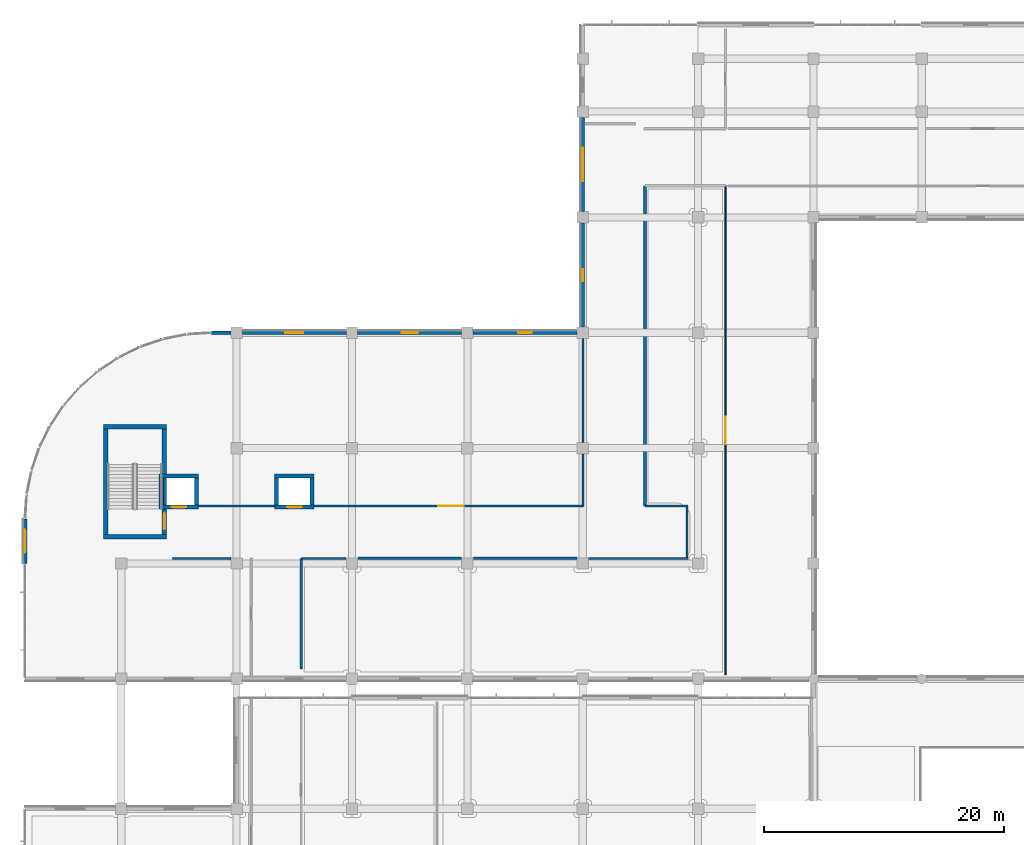
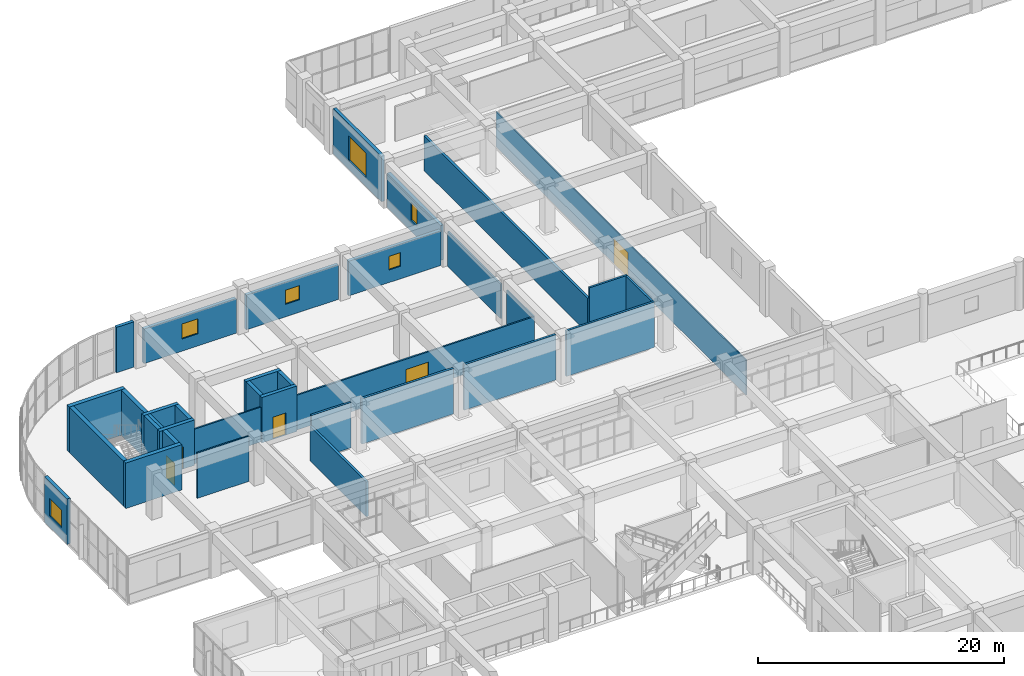
# One storey, part 56 of 86: 33 walls, 6 windows, 5 doors, 11 openings.
"""IFC4 building model written with IfcOpenShell, lengths in metres."""

from ifc_helpers import new_model, si_unit, direction, frame, frame_2d, origin, place, context, subcontext, project, spatial, rectangle, extrude, material, layer, layer_set, type_object, element, fill, save


model = new_model("IFC4")

# Units and contexts
model_context = context("Model", 3, precision=1e-05, world=origin(), true_north=direction((0.0, 1.0)))
body_context = subcontext(model_context, "Body", "Model", "MODEL_VIEW")
ifc_project = project(units=[si_unit("LENGTHUNIT", "METRE"), si_unit("AREAUNIT", "SQUARE_METRE"), si_unit("VOLUMEUNIT", "CUBIC_METRE"), si_unit("PLANEANGLEUNIT", "RADIAN"), si_unit("MASSUNIT", "GRAM", prefix="KILO")], contexts=[model_context])

# Site, building, storey
site_placement = place(None, origin())
site = spatial("IfcSite", under=ifc_project, at=site_placement, CompositionType="ELEMENT")
building_placement = place(site_placement, origin())
building = spatial("IfcBuilding", under=site, at=building_placement, Name="Cendralis Terraced Arcade", CompositionType="ELEMENT")
storey_placement = place(building_placement, frame((0.0, 0.0, 5.39990234375)))
storey = spatial("IfcBuildingStorey", under=building, at=storey_placement, Name="L01", CompositionType="ELEMENT", Elevation=5.39990234375)

# Walls
ifc_material_1 = material(Name="Gypsum plasterboard acoustic partition", Category="concrete")
ifc_layer_1 = layer(ifc_material_1, 0.199951171875, Name="WL-ACOU-200")
ifc_layer_set_1 = layer_set([ifc_layer_1], Name="Gypsum plasterboard acoustic partition")
wall_type_1 = type_object("IfcWallType", Name="WL-ACOU-200", PredefinedType="PARTITIONING", material=ifc_layer_set_1)
wall_1_placement = place(storey_placement, frame((48.4951171875, 70.02001953125, 0.0), z_axis=(0.0, 0.0, 1.0), x_axis=(1.0, 0.0, 0.0)))
element("IfcWall", 1, at=wall_1_placement, inside=storey, type_object=wall_type_1, Name="Interior Partition Wall IW-L01-0362", PredefinedType="PARTITIONING", context=body_context, shape_type="SweptSolid", body=[
    extrude(rectangle(XDim=8.27490234375, YDim=0.199951171875, at=frame_2d((4.137451171875, 0.0))), origin(), (0.0, 0.0, 1.0), 4.505126953125),
])
ifc_layer_2 = layer(ifc_material_1, 0.205078125, Name="WL-ACOU-205")
ifc_layer_set_2 = layer_set([ifc_layer_2], Name="Gypsum plasterboard acoustic partition")
wall_type_2 = type_object("IfcWallType", Name="WL-ACOU-205", PredefinedType="PARTITIONING", material=ifc_layer_set_2)
wall_2_placement = place(storey_placement, frame((38.89501953125, 70.02001953125, 0.0), z_axis=(0.0, 0.0, 1.0), x_axis=(1.0, 0.0, 0.0)))
element("IfcWall", 2, at=wall_2_placement, inside=storey, type_object=wall_type_2, Name="Interior Partition Wall IW-L01-0361", PredefinedType="PARTITIONING", context=body_context, shape_type="SweptSolid", body=[
    extrude(rectangle(XDim=8.60986328125, YDim=0.205078125, at=frame_2d((4.304931640625, 0.0))), origin(), (0.0, 0.0, 1.0), 4.505126953125),
])
ifc_layer_3 = layer(ifc_material_1, 0.2099609375, Name="WL-ACOU-210")
ifc_layer_set_3 = layer_set([ifc_layer_3], Name="Gypsum plasterboard acoustic partition")
wall_type_3 = type_object("IfcWallType", Name="WL-ACOU-210", PredefinedType="PARTITIONING", material=ifc_layer_set_3)
wall_3_placement = place(storey_placement, frame((29.294921875, 70.02001953125, 0.0), z_axis=(0.0, 0.0, 1.0), x_axis=(1.0, 0.0, 0.0)))
element("IfcWall", 3, at=wall_3_placement, inside=storey, type_object=wall_type_3, Name="Interior Partition Wall IW-L01-0360", PredefinedType="PARTITIONING", context=body_context, shape_type="SweptSolid", body=[
    extrude(rectangle(XDim=8.610107421875, YDim=0.2099609375, at=frame_2d((4.30517578125, 0.0))), origin(), (0.0, 0.0, 1.0), 4.505126953125),
])
ifc_material_2 = material(Name="Autoclaved aerated concrete blockwork", Category="masonry")
ifc_layer_4 = layer(ifc_material_2, 0.221923828125, Name="WL-ACOU-222")
ifc_layer_set_4 = layer_set([ifc_layer_4], Name="Autoclaved aerated concrete blockwork")
wall_type_4 = type_object("IfcWallType", Name="WL-ACOU-222", PredefinedType="PARTITIONING", material=ifc_layer_set_4)
wall_4_placement = place(storey_placement, frame((24.580078125, 60.840087890625, 0.0), z_axis=(0.0, 0.0, 1.0), x_axis=(0.0, 1.0, 0.0)))
element("IfcWall", 4, at=wall_4_placement, inside=storey, type_object=wall_type_4, Name="Interior Partition Wall IW-L01-0359", PredefinedType="PARTITIONING", context=body_context, shape_type="SweptSolid", body=[
    extrude(rectangle(XDim=9.179931640625, YDim=0.221923828125, at=frame_2d((4.58984375, 0.0))), origin(), (0.0, 0.0, 1.0), 3.445068359375),
])
ifc_layer_5 = layer(ifc_material_2, 0.22802734375, Name="WL-ACOU-228")
ifc_layer_set_5 = layer_set([ifc_layer_5], Name="Autoclaved aerated concrete blockwork")
wall_type_5 = type_object("IfcWallType", Name="WL-ACOU-228", PredefinedType="PARTITIONING", material=ifc_layer_set_5)
wall_5_placement = place(storey_placement, frame((53.179931640625, 74.3798828125, 0.0), z_axis=(0.0, 0.0, 1.0), x_axis=(0.0, 1.0, 0.0)))
element("IfcWall", 5, at=wall_5_placement, inside=storey, type_object=wall_type_5, Name="Interior Partition Wall IW-L01-0358", PredefinedType="PARTITIONING", context=body_context, shape_type="SweptSolid", body=[
    extrude(rectangle(XDim=26.64013671875, YDim=0.22802734375, at=frame_2d((13.320068359375, 0.0))), origin(), (0.0, 0.0, 1.0), 3.445068359375),
])

# Wall, opening, door
ifc_material_3 = material(Name="Concrete f'c 42 MPa", Category="concrete")
ifc_layer_6 = layer(ifc_material_3, 0.340087890625, Name="WL-CORE-340")
ifc_layer_set_6 = layer_set([ifc_layer_6], Name="Concrete f'c 42 MPa")
wall_type_6 = type_object("IfcWallType", Name="WL-CORE-340", PredefinedType="SHEAR", material=ifc_layer_set_6)
wall_6_placement = place(storey_placement, frame((12.760009765625, 74.304931640625, 0.0), z_axis=(0.0, 0.0, 1.0), x_axis=(1.0, 0.0, 0.0)))
wall_6 = element("IfcWall", 6, at=wall_6_placement, inside=storey, type_object=wall_type_6, Name="Lift PL-05 Reinforced Concrete Shaft Wall (L01)", PredefinedType="SHEAR", context=body_context, shape_type="SweptSolid", body=[
    extrude(rectangle(XDim=3.280029296875, YDim=0.340087890625, at=frame_2d((1.64013671875, 0.0))), origin(), (0.0, 0.0, 1.0), 4.505126953125),
])
opening_1_placement = place(wall_6_placement, frame((1.0400390625, 0.0, 0.0)))
opening_1 = element("IfcOpeningElement", 7, at=opening_1_placement, cuts=wall_6, Name="Opening LD-PL-05-L01", PredefinedType="OPENING", context=body_context, shape_type="SweptSolid", body=[
    extrude(rectangle(XDim=1.199951171875, YDim=2.199951171875, at=frame_2d((0.60009765625, 1.10009765625))), frame((0.0, 0.18212890625, 0.0), z_axis=(0.0, -1.0, 0.0), x_axis=(1.0, 0.0, 0.0)), (0.0, 0.0, 1.0), 0.364013671875),
])
ifc_material_4 = material(Name="Anodised aluminium sliding door assembly", Category="aluminium")
door_type_1 = type_object("IfcDoorType", Name="ID-LD-PX-1200x2200", OperationType="DOUBLE_DOOR_SLIDING", PredefinedType="DOOR", material=ifc_material_4)
door_1_placement = place(opening_1_placement, origin())
door_1 = element("IfcDoor", 8, at=door_1_placement, inside=storey, type_object=door_type_1, Name="Lift PL-05 Sliding Landing Door (L01)", OperationType="DOUBLE_DOOR_SLIDING", OverallHeight=2.199951171875, OverallWidth=1.199951171875, PredefinedType="DOOR", context=body_context, shape_type="SweptSolid", body=[
    extrude(rectangle(XDim=1.199951171875, YDim=2.199951171875, at=frame_2d((0.60009765625, 1.10009765625))), frame((0.0, 0.02490234375, 0.0), z_axis=(0.0, -1.0, 0.0), x_axis=(1.0, 0.0, 0.0)), (0.0, 0.0, 1.0), 0.050048828125),
])
fill(opening_1, door_1)

# Walls
wall_7_placement = place(storey_placement, frame((12.760009765625, 76.89501953125, 0.0), z_axis=(0.0, 0.0, 1.0), x_axis=(1.0, 0.0, 0.0)))
element("IfcWall", 9, at=wall_7_placement, inside=storey, type_object=wall_type_6, Name="Lift PL-05 Reinforced Concrete Shaft Wall (L01)", PredefinedType="SHEAR", context=body_context, shape_type="SweptSolid", body=[
    extrude(rectangle(XDim=3.280029296875, YDim=0.340087890625, at=frame_2d((1.64013671875, 0.0))), origin(), (0.0, 0.0, 1.0), 4.505126953125),
])
for number, where, z_axis, x_axis, name in (
    (10, (12.929931640625, 74.47509765625, 0.0), (0.0, 0.0, 1.0), (0.0, 1.0, 0.0), "Lift PL-05 Reinforced Concrete Shaft Wall (L01)"),
    (11, (15.8701171875, 74.47509765625, 0.0), (0.0, 0.0, 1.0), (0.0, 1.0, 0.0), "Lift PL-05 Reinforced Concrete Shaft Wall (L01)"),
):
    element("IfcWall", number, at=place(storey_placement, frame(where, z_axis=z_axis, x_axis=x_axis)), inside=storey, type_object=wall_type_6, Name=name, PredefinedType="SHEAR", context=body_context, shape_type="SweptSolid", body=[
        extrude(rectangle(XDim=2.25, YDim=0.340087890625, at=frame_2d((1.125, 0.0))), origin(), (0.0, 0.0, 1.0), 4.505126953125),
    ])

# Wall, opening, door
wall_8_placement = place(storey_placement, frame((22.360107421875, 74.304931640625, 0.0), z_axis=(0.0, 0.0, 1.0), x_axis=(1.0, 0.0, 0.0)))
wall_8 = element("IfcWall", 12, at=wall_8_placement, inside=storey, type_object=wall_type_6, Name="Lift PL-06 Reinforced Concrete Shaft Wall (L01)", PredefinedType="SHEAR", context=body_context, shape_type="SweptSolid", body=[
    extrude(rectangle(XDim=3.27978515625, YDim=0.340087890625, at=frame_2d((1.639892578125, 0.0))), origin(), (0.0, 0.0, 1.0), 4.505126953125),
])
opening_2_placement = place(wall_8_placement, frame((1.0400390625, 0.0, 0.0)))
opening_2 = element("IfcOpeningElement", 13, at=opening_2_placement, cuts=wall_8, Name="Opening LD-PL-06-L01", PredefinedType="OPENING", context=body_context, shape_type="SweptSolid", body=[
    extrude(rectangle(XDim=1.199951171875, YDim=2.199951171875, at=frame_2d((0.60009765625, 1.10009765625))), frame((0.0, 0.18212890625, 0.0), z_axis=(0.0, -1.0, 0.0), x_axis=(1.0, 0.0, 0.0)), (0.0, 0.0, 1.0), 0.364013671875),
])
door_2_placement = place(opening_2_placement, origin())
door_2 = element("IfcDoor", 14, at=door_2_placement, inside=storey, type_object=door_type_1, Name="Lift PL-06 Sliding Landing Door (L01)", OperationType="DOUBLE_DOOR_SLIDING", OverallHeight=2.199951171875, OverallWidth=1.199951171875, PredefinedType="DOOR", context=body_context, shape_type="SweptSolid", body=[
    extrude(rectangle(XDim=1.199951171875, YDim=2.199951171875, at=frame_2d((0.60009765625, 1.10009765625))), frame((0.0, 0.02490234375, 0.0), z_axis=(0.0, -1.0, 0.0), x_axis=(1.0, 0.0, 0.0)), (0.0, 0.0, 1.0), 0.050048828125),
])
fill(opening_2, door_2)

# Walls
wall_9_placement = place(storey_placement, frame((22.360107421875, 76.89501953125, 0.0), z_axis=(0.0, 0.0, 1.0), x_axis=(1.0, 0.0, 0.0)))
element("IfcWall", 15, at=wall_9_placement, inside=storey, type_object=wall_type_6, Name="Lift PL-06 Reinforced Concrete Shaft Wall (L01)", PredefinedType="SHEAR", context=body_context, shape_type="SweptSolid", body=[
    extrude(rectangle(XDim=3.27978515625, YDim=0.340087890625, at=frame_2d((1.639892578125, 0.0))), origin(), (0.0, 0.0, 1.0), 4.505126953125),
])
for number, where, z_axis, x_axis, name in (
    (16, (22.530029296875, 74.47509765625, 0.0), (0.0, 0.0, 1.0), (0.0, 1.0, 0.0), "Lift PL-06 Reinforced Concrete Shaft Wall (L01)"),
    (17, (25.469970703125, 74.47509765625, 0.0), (0.0, 0.0, 1.0), (0.0, 1.0, 0.0), "Lift PL-06 Reinforced Concrete Shaft Wall (L01)"),
):
    element("IfcWall", number, at=place(storey_placement, frame(where, z_axis=z_axis, x_axis=x_axis)), inside=storey, type_object=wall_type_6, Name=name, PredefinedType="SHEAR", context=body_context, shape_type="SweptSolid", body=[
        extrude(rectangle(XDim=2.25, YDim=0.340087890625, at=frame_2d((1.125, 0.0))), origin(), (0.0, 0.0, 1.0), 4.505126953125),
    ])
ifc_layer_7 = layer(ifc_material_3, 0.3798828125, Name="WL-CORE-380")
ifc_layer_set_7 = layer_set([ifc_layer_7], Name="Concrete f'c 42 MPa")
wall_type_7 = type_object("IfcWallType", Name="WL-CORE-380", PredefinedType="SHEAR", material=ifc_layer_set_7)
for number, where, z_axis, x_axis, name in (
    (18, (8.1201171875, 71.81005859375, 0.0), (0.0, 0.0, 1.0), (1.0, 0.0, 0.0), "Stair Core Reinforced Concrete Shear Wall SW-ST-07-L01-S"),
    (19, (8.1201171875, 80.989990234375, 0.0), (0.0, 0.0, 1.0), (1.0, 0.0, 0.0), "Stair Core Reinforced Concrete Shear Wall SW-ST-07-L01-N"),
):
    element("IfcWall", number, at=place(storey_placement, frame(where, z_axis=z_axis, x_axis=x_axis)), inside=storey, type_object=wall_type_7, Name=name, PredefinedType="SHEAR", context=body_context, shape_type="SweptSolid", body=[
        extrude(rectangle(XDim=5.259765625, YDim=0.3798828125, at=frame_2d((2.6298828125, 0.0))), origin(), (0.0, 0.0, 1.0), 4.505126953125),
    ])

# Wall, opening, door
wall_10_placement = place(storey_placement, frame((13.18994140625, 72.0, 0.0), z_axis=(0.0, 0.0, 1.0), x_axis=(0.0, 1.0, 0.0)))
wall_10 = element("IfcWall", 20, at=wall_10_placement, inside=storey, type_object=wall_type_7, Name="Stair Core Reinforced Concrete Shear Wall SW-ST-07-L01-E", PredefinedType="SHEAR", context=body_context, shape_type="SweptSolid", body=[
    extrude(rectangle(XDim=8.800048828125, YDim=0.3798828125, at=frame_2d((4.39990234375, 0.0))), origin(), (0.0, 0.0, 1.0), 4.505126953125),
])
opening_3_placement = place(wall_10_placement, frame((0.449951171875, 0.0, 0.0)))
opening_3 = element("IfcOpeningElement", 21, at=opening_3_placement, cuts=wall_10, Name="Opening D-ST-07-L01", PredefinedType="OPENING", context=body_context, shape_type="SweptSolid", body=[
    extrude(rectangle(XDim=1.35009765625, YDim=2.199951171875, at=frame_2d((0.675048828125, 1.10009765625))), frame((0.0, 0.201904296875, 0.0), z_axis=(0.0, -1.0, 0.0), x_axis=(1.0, 0.0, 0.0)), (0.0, 0.0, 1.0), 0.40380859375),
])
ifc_material_5 = material(Name="Galvanised fire-rated steel door assembly", Category="steel")
door_type_2 = type_object("IfcDoorType", Name="ID-ST-1350x2200", OperationType="NOTDEFINED", PredefinedType="DOOR", material=ifc_material_5)
door_3_placement = place(opening_3_placement, origin())
door_3 = element("IfcDoor", 22, at=door_3_placement, inside=storey, type_object=door_type_2, Name="Protected Stair ST-07 Fire Door (L01)", OperationType="SINGLE_SWING_LEFT", OverallHeight=2.199951171875, OverallWidth=1.35009765625, PredefinedType="DOOR", context=body_context, shape_type="SweptSolid", body=[
    extrude(rectangle(XDim=1.35009765625, YDim=2.199951171875, at=frame_2d((0.675048828125, 1.10009765625))), frame((0.0, 0.02490234375, 0.0), z_axis=(0.0, -1.0, 0.0), x_axis=(1.0, 0.0, 0.0)), (0.0, 0.0, 1.0), 0.050048828125),
])
fill(opening_3, door_3)

# Wall
wall_11_placement = place(storey_placement, frame((8.31005859375, 72.0, 0.0), z_axis=(0.0, 0.0, 1.0), x_axis=(0.0, 1.0, 0.0)))
element("IfcWall", 23, at=wall_11_placement, inside=storey, type_object=wall_type_7, Name="Stair Core Reinforced Concrete Shear Wall SW-ST-07-L01-W", PredefinedType="SHEAR", context=body_context, shape_type="SweptSolid", body=[
    extrude(rectangle(XDim=8.800048828125, YDim=0.3798828125, at=frame_2d((4.39990234375, 0.0))), origin(), (0.0, 0.0, 1.0), 4.505126953125),
])

# Wall, opening, window
ifc_material_6 = material(Name="Precast concrete f'c 40 MPa", Category="concrete")
ifc_layer_8 = layer(ifc_material_6, 0.300048828125, Name="WL-EXT-GRC-300")
ifc_layer_set_8 = layer_set([ifc_layer_8], Name="Precast concrete f'c 40 MPa")
wall_type_8 = type_object("IfcWallType", Name="WL-EXT-GRC-300", PredefinedType="SOLIDWALL", material=ifc_layer_set_8)
wall_12_placement = place(storey_placement, frame((1.60009765625, 69.60009765625, 0.0), z_axis=(0.0, 0.0, 1.0), x_axis=(0.0, 1.0, 0.0)))
wall_12 = element("IfcWall", 24, at=wall_12_placement, inside=storey, type_object=wall_type_8, Name="Exterior Architectural Wall EW-L01-0089", PredefinedType="SOLIDWALL", context=body_context, shape_type="SweptSolid", body=[
    extrude(rectangle(XDim=3.699951171875, YDim=0.300048828125, at=frame_2d((1.85009765625, 0.0))), origin(), (0.0, 0.0, 1.0), 4.505126953125),
])
opening_4_placement = place(wall_12_placement, frame((0.875, 0.0, 1.10009765625)))
opening_4 = element("IfcOpeningElement", 25, at=opening_4_placement, cuts=wall_12, Name="Opening W-27", PredefinedType="OPENING", context=body_context, shape_type="SweptSolid", body=[
    extrude(rectangle(XDim=1.949951171875, YDim=1.75, at=frame_2d((0.97509765625, 0.875))), frame((0.0, 0.162109375, 0.0), z_axis=(0.0, -1.0, 0.0), x_axis=(1.0, 0.0, 0.0)), (0.0, 0.0, 1.0), 0.323974609375),
])
ifc_material_7 = material(Name="Tempered solar control laminated glass", Category="glass")
window_type_1 = type_object("IfcWindowType", Name="WN-F3-1950x1750", PartitioningType="SINGLE_PANEL", PredefinedType="WINDOW", material=ifc_material_7)
window_1_placement = place(opening_4_placement, origin())
window_1 = element("IfcWindow", 26, at=window_1_placement, inside=storey, type_object=window_type_1, Name="Exterior Solar-Control Window WN-L01-0048", OverallHeight=1.75, OverallWidth=1.949951171875, PartitioningType="SINGLE_PANEL", PredefinedType="WINDOW", context=body_context, shape_type="SweptSolid", body=[
    extrude(rectangle(XDim=1.949951171875, YDim=1.75, at=frame_2d((0.97509765625, 0.875))), frame((0.0, 0.030029296875, 0.0), z_axis=(0.0, -1.0, 0.0), x_axis=(1.0, 0.0, 0.0)), (0.0, 0.0, 1.0), 0.06005859375),
])
fill(opening_4, window_1)

# Wall
wall_13_placement = place(storey_placement, frame((17.10009765625, 88.800048828125, 0.0), z_axis=(0.0, 0.0, 1.0), x_axis=(1.0, 0.0, 0.0)))
element("IfcWall", 27, at=wall_13_placement, inside=storey, type_object=wall_type_8, Name="Exterior Architectural Wall EW-L01-0090", PredefinedType="SOLIDWALL", context=body_context, shape_type="SweptSolid", body=[
    extrude(rectangle(XDim=1.626953125, YDim=0.300048828125, at=frame_2d((0.8134765625, 0.0))), origin(), (0.0, 0.0, 1.0), 4.505126953125),
])

# Wall, opening, window
wall_14_placement = place(storey_placement, frame((19.673095703125, 88.800048828125, 0.0), z_axis=(0.0, 0.0, 1.0), x_axis=(1.0, 0.0, 0.0)))
wall_14 = element("IfcWall", 28, at=wall_14_placement, inside=storey, type_object=wall_type_8, Name="Exterior Architectural Wall EW-L01-0091", PredefinedType="SOLIDWALL", context=body_context, shape_type="SweptSolid", body=[
    extrude(rectangle(XDim=8.65380859375, YDim=0.300048828125, at=frame_2d((4.326904296875, 0.0))), origin(), (0.0, 0.0, 1.0), 3.445068359375),
])
opening_5_placement = place(wall_14_placement, frame((3.576904296875, 0.0, 1.199951171875)))
opening_5 = element("IfcOpeningElement", 29, at=opening_5_placement, cuts=wall_14, Name="Opening W-20", PredefinedType="OPENING", context=body_context, shape_type="SweptSolid", body=[
    extrude(rectangle(XDim=1.5, YDim=1.5, at=frame_2d((0.75, 0.75))), frame((0.0, 0.162109375, 0.0), z_axis=(0.0, -1.0, 0.0), x_axis=(1.0, 0.0, 0.0)), (0.0, 0.0, 1.0), 0.323974609375),
])
window_type_2 = type_object("IfcWindowType", Name="WN-BOH-1500x1500", PartitioningType="SINGLE_PANEL", PredefinedType="WINDOW", material=ifc_material_7)
window_2_placement = place(opening_5_placement, origin())
window_2 = element("IfcWindow", 30, at=window_2_placement, inside=storey, type_object=window_type_2, Name="Exterior Solar-Control Window WN-L01-0049", OverallHeight=1.5, OverallWidth=1.5, PartitioningType="SINGLE_PANEL", PredefinedType="WINDOW", context=body_context, shape_type="SweptSolid", body=[
    extrude(rectangle(XDim=1.5, YDim=1.5, at=frame_2d((0.75, 0.75))), frame((0.0, 0.030029296875, 0.0), z_axis=(0.0, -1.0, 0.0), x_axis=(1.0, 0.0, 0.0)), (0.0, 0.0, 1.0), 0.06005859375),
])
fill(opening_5, window_2)

wall_15_placement = place(storey_placement, frame((29.27294921875, 88.800048828125, 0.0), z_axis=(0.0, 0.0, 1.0), x_axis=(1.0, 0.0, 0.0)))
wall_15 = element("IfcWall", 31, at=wall_15_placement, inside=storey, type_object=wall_type_8, Name="Exterior Architectural Wall EW-L01-0092", PredefinedType="SOLIDWALL", context=body_context, shape_type="SweptSolid", body=[
    extrude(rectangle(XDim=8.654052734375, YDim=0.300048828125, at=frame_2d((4.3271484375, 0.0))), origin(), (0.0, 0.0, 1.0), 3.445068359375),
])
opening_6_placement = place(wall_15_placement, frame((3.652099609375, 0.0, 1.25)))
opening_6 = element("IfcOpeningElement", 32, at=opening_6_placement, cuts=wall_15, Name="Opening W-21", PredefinedType="OPENING", context=body_context, shape_type="SweptSolid", body=[
    extrude(rectangle(XDim=1.35009765625, YDim=1.39990234375, at=frame_2d((0.675048828125, 0.699951171875))), frame((0.0, 0.162109375, 0.0), z_axis=(0.0, -1.0, 0.0), x_axis=(1.0, 0.0, 0.0)), (0.0, 0.0, 1.0), 0.323974609375),
])
window_type_3 = type_object("IfcWindowType", Name="WN-BOH-1350x1400", PartitioningType="SINGLE_PANEL", PredefinedType="WINDOW", material=ifc_material_7)
window_3_placement = place(opening_6_placement, origin())
window_3 = element("IfcWindow", 33, at=window_3_placement, inside=storey, type_object=window_type_3, Name="Exterior Solar-Control Window WN-L01-0050", OverallHeight=1.39990234375, OverallWidth=1.35009765625, PartitioningType="SINGLE_PANEL", PredefinedType="WINDOW", context=body_context, shape_type="SweptSolid", body=[
    extrude(rectangle(XDim=1.35009765625, YDim=1.39990234375, at=frame_2d((0.675048828125, 0.699951171875))), frame((0.0, 0.030029296875, 0.0), z_axis=(0.0, -1.0, 0.0), x_axis=(1.0, 0.0, 0.0)), (0.0, 0.0, 1.0), 0.06005859375),
])
fill(opening_6, window_3)

wall_16_placement = place(storey_placement, frame((38.873046875, 88.800048828125, 0.0), z_axis=(0.0, 0.0, 1.0), x_axis=(1.0, 0.0, 0.0)))
wall_16 = element("IfcWall", 34, at=wall_16_placement, inside=storey, type_object=wall_type_8, Name="Exterior Architectural Wall EW-L01-0093", PredefinedType="SOLIDWALL", context=body_context, shape_type="SweptSolid", body=[
    extrude(rectangle(XDim=8.654052734375, YDim=0.300048828125, at=frame_2d((4.3271484375, 0.0))), origin(), (0.0, 0.0, 1.0), 3.445068359375),
])
opening_7_placement = place(wall_16_placement, frame((3.777099609375, 0.0, 1.25)))
opening_7 = element("IfcOpeningElement", 35, at=opening_7_placement, cuts=wall_16, Name="Opening W-22", PredefinedType="OPENING", context=body_context, shape_type="SweptSolid", body=[
    extrude(rectangle(XDim=1.10009765625, YDim=1.35009765625, at=frame_2d((0.550048828125, 0.675048828125))), frame((0.0, 0.162109375, 0.0), z_axis=(0.0, -1.0, 0.0), x_axis=(1.0, 0.0, 0.0)), (0.0, 0.0, 1.0), 0.323974609375),
])
window_type_4 = type_object("IfcWindowType", Name="WN-BOH-1100x1350", PartitioningType="SINGLE_PANEL", PredefinedType="WINDOW", material=ifc_material_7)
window_4_placement = place(opening_7_placement, origin())
window_4 = element("IfcWindow", 36, at=window_4_placement, inside=storey, type_object=window_type_4, Name="Exterior Solar-Control Window WN-L01-0051", OverallHeight=1.35009765625, OverallWidth=1.10009765625, PartitioningType="SINGLE_PANEL", PredefinedType="WINDOW", context=body_context, shape_type="SweptSolid", body=[
    extrude(rectangle(XDim=1.10009765625, YDim=1.35009765625, at=frame_2d((0.550048828125, 0.675048828125))), frame((0.0, 0.030029296875, 0.0), z_axis=(0.0, -1.0, 0.0), x_axis=(1.0, 0.0, 0.0)), (0.0, 0.0, 1.0), 0.06005859375),
])
fill(opening_7, window_4)

wall_17_placement = place(storey_placement, frame((48.0, 89.27294921875, 0.0), z_axis=(0.0, 0.0, 1.0), x_axis=(0.0, 1.0, 0.0)))
wall_17 = element("IfcWall", 37, at=wall_17_placement, inside=storey, type_object=wall_type_8, Name="Exterior Architectural Wall EW-L01-0094", PredefinedType="SOLIDWALL", context=body_context, shape_type="SweptSolid", body=[
    extrude(rectangle(XDim=8.654052734375, YDim=0.300048828125, at=frame_2d((4.3271484375, 0.0))), origin(), (0.0, 0.0, 1.0), 3.445068359375),
])
opening_8_placement = place(wall_17_placement, frame((3.826904296875, 0.0, 1.10009765625)))
opening_8 = element("IfcOpeningElement", 38, at=opening_8_placement, cuts=wall_17, Name="Opening W-23", PredefinedType="OPENING", context=body_context, shape_type="SweptSolid", body=[
    extrude(rectangle(XDim=1.0, YDim=1.800048828125, at=frame_2d((0.5, 0.89990234375))), frame((0.0, 0.162109375, 0.0), z_axis=(0.0, -1.0, 0.0), x_axis=(1.0, 0.0, 0.0)), (0.0, 0.0, 1.0), 0.323974609375),
])
window_type_5 = type_object("IfcWindowType", Name="WN-ST-1000x1800", PartitioningType="SINGLE_PANEL", PredefinedType="WINDOW", material=ifc_material_7)
window_5_placement = place(opening_8_placement, origin())
window_5 = element("IfcWindow", 39, at=window_5_placement, inside=storey, type_object=window_type_5, Name="Exterior Solar-Control Window WN-L01-0052", OverallHeight=1.800048828125, OverallWidth=1.0, PartitioningType="SINGLE_PANEL", PredefinedType="WINDOW", context=body_context, shape_type="SweptSolid", body=[
    extrude(rectangle(XDim=1.0, YDim=1.800048828125, at=frame_2d((0.5, 0.89990234375))), frame((0.0, 0.030029296875, 0.0), z_axis=(0.0, -1.0, 0.0), x_axis=(1.0, 0.0, 0.0)), (0.0, 0.0, 1.0), 0.06005859375),
])
fill(opening_8, window_5)

wall_18_placement = place(storey_placement, frame((48.0, 98.873046875, 0.0), z_axis=(0.0, 0.0, 1.0), x_axis=(0.0, 1.0, 0.0)))
wall_18 = element("IfcWall", 40, at=wall_18_placement, inside=storey, type_object=wall_type_8, Name="Exterior Architectural Wall EW-L01-0095", PredefinedType="SOLIDWALL", context=body_context, shape_type="SweptSolid", body=[
    extrude(rectangle(XDim=7.85400390625, YDim=0.300048828125, at=frame_2d((3.927001953125, 0.0))), origin(), (0.0, 0.0, 1.0), 4.505126953125),
])
opening_9_placement = place(wall_18_placement, frame((2.527099609375, 0.0, 0.89990234375)))
opening_9 = element("IfcOpeningElement", 41, at=opening_9_placement, cuts=wall_18, Name="Opening W-09", PredefinedType="OPENING", context=body_context, shape_type="SweptSolid", body=[
    extrude(rectangle(XDim=2.800048828125, YDim=2.39990234375, at=frame_2d((1.39990234375, 1.199951171875))), frame((0.0, 0.162109375, 0.0), z_axis=(0.0, -1.0, 0.0), x_axis=(1.0, 0.0, 0.0)), (0.0, 0.0, 1.0), 0.323974609375),
])
window_type_6 = type_object("IfcWindowType", Name="WN-F2-2800x2400", PartitioningType="SINGLE_PANEL", PredefinedType="WINDOW", material=ifc_material_7)
window_6_placement = place(opening_9_placement, origin())
window_6 = element("IfcWindow", 42, at=window_6_placement, inside=storey, type_object=window_type_6, Name="Exterior Solar-Control Window WN-L01-0053", OverallHeight=2.39990234375, OverallWidth=2.800048828125, PartitioningType="SINGLE_PANEL", PredefinedType="WINDOW", context=body_context, shape_type="SweptSolid", body=[
    extrude(rectangle(XDim=2.800048828125, YDim=2.39990234375, at=frame_2d((1.39990234375, 1.199951171875))), frame((0.0, 0.030029296875, 0.0), z_axis=(0.0, -1.0, 0.0), x_axis=(1.0, 0.0, 0.0)), (0.0, 0.0, 1.0), 0.06005859375),
])
fill(opening_9, window_6)

# Wall, opening, door
ifc_layer_9 = layer(ifc_material_1, 0.10791015625, Name="WL-PART-108")
ifc_layer_set_9 = layer_set([ifc_layer_9], Name="Gypsum plasterboard acoustic partition")
wall_type_9 = type_object("IfcWallType", Name="WL-PART-108", PredefinedType="PARTITIONING", material=ifc_layer_set_9)
wall_19_placement = place(storey_placement, frame((59.8798828125, 101.02001953125, 0.0), z_axis=(0.0, 0.0, 1.0), x_axis=(0.0, -1.0, 0.0)))
wall_19 = element("IfcWall", 43, at=wall_19_placement, inside=storey, type_object=wall_type_9, Name="Interior Partition Wall IW-L01-0357", PredefinedType="PARTITIONING", context=body_context, shape_type="SweptSolid", body=[
    extrude(rectangle(XDim=40.679931640625, YDim=0.10791015625, at=frame_2d((20.33984375, 0.0))), origin(), (0.0, 0.0, 1.0), 3.445068359375),
])
opening_10_placement = place(wall_19_placement, frame((19.18994140625, 0.0, 0.0)))
opening_10 = element("IfcOpeningElement", 44, at=opening_10_placement, cuts=wall_19, Name="Opening D-L01-101", PredefinedType="OPENING", context=body_context, shape_type="SweptSolid", body=[
    extrude(rectangle(XDim=2.300048828125, YDim=2.5, at=frame_2d((1.14990234375, 1.25))), frame((0.0, 0.06591796875, 0.0), z_axis=(0.0, -1.0, 0.0), x_axis=(1.0, 0.0, 0.0)), (0.0, 0.0, 1.0), 0.1318359375),
])
ifc_material_8 = material(Name="Solid core Andean oak veneer door leaf", Category="aluminium")
door_type_3 = type_object("IfcDoorType", Name="ID-DEP-2300x2500", OperationType="DOUBLE_DOOR_SINGLE_SWING", PredefinedType="DOOR", material=ifc_material_8)
door_4_placement = place(opening_10_placement, origin())
door_4 = element("IfcDoor", 45, at=door_4_placement, inside=storey, type_object=door_type_3, Name="Womenswear Contemporary Sales Floor Door D-L01-101", OperationType="DOUBLE_DOOR_SINGLE_SWING", OverallHeight=2.5, OverallWidth=2.300048828125, PredefinedType="DOOR", context=body_context, shape_type="SweptSolid", body=[
    extrude(rectangle(XDim=2.300048828125, YDim=2.5, at=frame_2d((1.14990234375, 1.25))), frame((0.0, 0.02490234375, 0.0), z_axis=(0.0, -1.0, 0.0), x_axis=(1.0, 0.0, 0.0)), (0.0, 0.0, 1.0), 0.050048828125),
])
fill(opening_10, door_4)

# Walls
ifc_layer_10 = layer(ifc_material_1, 0.1298828125, Name="WL-PART-130")
ifc_layer_set_10 = layer_set([ifc_layer_10], Name="Gypsum plasterboard acoustic partition")
wall_type_10 = type_object("IfcWallType", Name="WL-PART-130", PredefinedType="PARTITIONING", material=ifc_layer_set_10)
wall_20_placement = place(storey_placement, frame((48.02001953125, 78.705078125, 0.0), z_axis=(0.0, 0.0, 1.0), x_axis=(0.0, -1.0, 0.0)))
element("IfcWall", 46, at=wall_20_placement, inside=storey, type_object=wall_type_10, Name="Interior Partition Wall IW-L01-0375", PredefinedType="PARTITIONING", context=body_context, shape_type="SweptSolid", body=[
    extrude(rectangle(XDim=4.3251953125, YDim=0.1298828125, at=frame_2d((2.16259765625, 0.0))), origin(), (0.0, 0.0, 1.0), 3.445068359375),
])
ifc_layer_11 = layer(ifc_material_1, 0.134033203125, Name="WL-PART-134")
ifc_layer_set_11 = layer_set([ifc_layer_11], Name="Gypsum plasterboard acoustic partition")
wall_type_11 = type_object("IfcWallType", Name="WL-PART-134", PredefinedType="PARTITIONING", material=ifc_layer_set_11)
wall_21_placement = place(storey_placement, frame((13.8798828125, 70.02001953125, 0.0), z_axis=(0.0, 0.0, 1.0), x_axis=(1.0, 0.0, 0.0)))
element("IfcWall", 47, at=wall_21_placement, inside=storey, type_object=wall_type_11, Name="Interior Partition Wall IW-L01-0374", PredefinedType="PARTITIONING", context=body_context, shape_type="SweptSolid", body=[
    extrude(rectangle(XDim=4.8251953125, YDim=0.134033203125, at=frame_2d((2.41259765625, 0.0))), origin(), (0.0, 0.0, 1.0), 4.505126953125),
])
ifc_layer_12 = layer(ifc_material_1, 0.137939453125, Name="WL-PART-138")
ifc_layer_set_12 = layer_set([ifc_layer_12], Name="Gypsum plasterboard acoustic partition")
wall_type_12 = type_object("IfcWallType", Name="WL-PART-138", PredefinedType="PARTITIONING", material=ifc_layer_set_12)
wall_22_placement = place(storey_placement, frame((22.360107421875, 74.3798828125, 0.0), z_axis=(0.0, 0.0, 1.0), x_axis=(-1.0, 0.0, 0.0)))
element("IfcWall", 48, at=wall_22_placement, inside=storey, type_object=wall_type_12, Name="Interior Partition Wall IW-L01-0373", PredefinedType="PARTITIONING", context=body_context, shape_type="SweptSolid", body=[
    extrude(rectangle(XDim=6.320068359375, YDim=0.137939453125, at=frame_2d((3.16015625, 0.0))), origin(), (0.0, 0.0, 1.0), 3.445068359375),
])
ifc_layer_13 = layer(ifc_material_1, 0.14208984375, Name="WL-PART-142")
ifc_layer_set_13 = layer_set([ifc_layer_13], Name="Gypsum plasterboard acoustic partition")
wall_type_13 = type_object("IfcWallType", Name="WL-PART-142", PredefinedType="PARTITIONING", material=ifc_layer_set_13)
wall_23_placement = place(storey_placement, frame((48.01953125, 88.304931640625, 0.0), z_axis=(0.0, 0.0, 1.0), x_axis=(2.8355924e-05, -0.999999999598, 0.0)))
element("IfcWall", 49, at=wall_23_placement, inside=storey, type_object=wall_type_13, Name="Interior Partition Wall IW-L01-0372", PredefinedType="PARTITIONING", context=body_context, shape_type="SweptSolid", body=[
    extrude(rectangle(XDim=8.60986328125, YDim=0.14208984375, at=frame_2d((4.304931640625, 0.0))), origin(), (0.0, 0.0, 1.0), 3.445068359375),
])

# Wall, opening, door
ifc_layer_14 = layer(ifc_material_1, 0.14990234375, Name="WL-PART-150")
ifc_layer_set_14 = layer_set([ifc_layer_14], Name="Gypsum plasterboard acoustic partition")
wall_type_14 = type_object("IfcWallType", Name="WL-PART-150", PredefinedType="PARTITIONING", material=ifc_layer_set_14)
wall_24_placement = place(storey_placement, frame((48.02001953125, 74.3798828125, 0.0), z_axis=(0.0, 0.0, 1.0), x_axis=(-1.0, 0.0, 0.0)))
wall_24 = element("IfcWall", 50, at=wall_24_placement, inside=storey, type_object=wall_type_14, Name="Interior Partition Wall IW-L01-0370", PredefinedType="PARTITIONING", context=body_context, shape_type="SweptSolid", body=[
    extrude(rectangle(XDim=22.380126953125, YDim=0.14990234375, at=frame_2d((11.18994140625, 0.0))), origin(), (0.0, 0.0, 1.0), 3.445068359375),
])
opening_11_placement = place(wall_24_placement, frame((9.93701171875, 0.0, 0.0)))
opening_11 = element("IfcOpeningElement", 51, at=opening_11_placement, cuts=wall_24, Name="Opening D-L01-103", PredefinedType="OPENING", context=body_context, shape_type="SweptSolid", body=[
    extrude(rectangle(XDim=2.10009765625, YDim=2.419921875, at=frame_2d((1.050048828125, 1.2099609375))), frame((0.0, 0.0869140625, 0.0), z_axis=(0.0, -1.0, 0.0), x_axis=(1.0, 0.0, 0.0)), (0.0, 0.0, 1.0), 0.173828125),
])
door_type_4 = type_object("IfcDoorType", Name="ID-DEP-2100x2420", OperationType="DOUBLE_DOOR_SINGLE_SWING", PredefinedType="DOOR", material=ifc_material_8)
door_5_placement = place(opening_11_placement, origin())
door_5 = element("IfcDoor", 52, at=door_5_placement, inside=storey, type_object=door_type_4, Name="Womenswear Contemporary Sales Floor Door D-L01-103", OperationType="DOUBLE_DOOR_SINGLE_SWING", OverallHeight=2.419921875, OverallWidth=2.10009765625, PredefinedType="DOOR", context=body_context, shape_type="SweptSolid", body=[
    extrude(rectangle(XDim=2.10009765625, YDim=2.419921875, at=frame_2d((1.050048828125, 1.2099609375))), frame((0.0, 0.02490234375, 0.0), z_axis=(0.0, -1.0, 0.0), x_axis=(1.0, 0.0, 0.0)), (0.0, 0.0, 1.0), 0.050048828125),
])
fill(opening_11, door_5)

# Walls
ifc_layer_15 = layer(ifc_material_1, 0.179931640625, Name="WL-PART-180")
ifc_layer_set_15 = layer_set([ifc_layer_15], Name="Gypsum plasterboard acoustic partition")
wall_type_15 = type_object("IfcWallType", Name="WL-PART-180", PredefinedType="PARTITIONING", material=ifc_layer_set_15)
wall_25_placement = place(storey_placement, frame((56.679931640625, 70.1201171875, 0.0), z_axis=(0.0, 0.0, 1.0), x_axis=(0.0, 1.0, 0.0)))
element("IfcWall", 53, at=wall_25_placement, inside=storey, type_object=wall_type_15, Name="Interior Partition Wall IW-L01-0366", PredefinedType="PARTITIONING", context=body_context, shape_type="SweptSolid", body=[
    extrude(rectangle(XDim=4.16748046875, YDim=0.179931640625, at=frame_2d((2.083740234375, 0.0))), origin(), (0.0, 0.0, 1.0), 4.505126953125),
])
ifc_layer_16 = layer(ifc_material_1, 0.18505859375, Name="WL-PART-185")
ifc_layer_set_16 = layer_set([ifc_layer_16], Name="Gypsum plasterboard acoustic partition")
wall_type_16 = type_object("IfcWallType", Name="WL-PART-185", PredefinedType="PARTITIONING", material=ifc_layer_set_16)
wall_26_placement = place(storey_placement, frame((56.77001953125, 74.3798828125, 0.0), z_axis=(0.0, 0.0, 1.0), x_axis=(-1.0, 0.0, 0.0)))
element("IfcWall", 54, at=wall_26_placement, inside=storey, type_object=wall_type_16, Name="Interior Partition Wall IW-L01-0365", PredefinedType="PARTITIONING", context=body_context, shape_type="SweptSolid", body=[
    extrude(rectangle(XDim=3.590087890625, YDim=0.18505859375, at=frame_2d((1.794921875, 0.0))), origin(), (0.0, 0.0, 1.0), 4.505126953125),
])
ifc_layer_17 = layer(ifc_material_1, 0.18994140625, Name="WL-PART-190")
ifc_layer_set_17 = layer_set([ifc_layer_17], Name="Gypsum plasterboard acoustic partition")
wall_type_17 = type_object("IfcWallType", Name="WL-PART-190", PredefinedType="PARTITIONING", material=ifc_layer_set_17)
wall_27_placement = place(storey_placement, frame((24.580078125, 70.02001953125, 0.0), z_axis=(0.0, 0.0, 1.0), x_axis=(1.0, 0.0, 0.0)))
element("IfcWall", 55, at=wall_27_placement, inside=storey, type_object=wall_type_17, Name="Interior Partition Wall IW-L01-0364", PredefinedType="PARTITIONING", context=body_context, shape_type="SweptSolid", body=[
    extrude(rectangle(XDim=3.724853515625, YDim=0.18994140625, at=frame_2d((1.8623046875, 0.0))), origin(), (0.0, 0.0, 1.0), 4.505126953125),
])

save(model, "model.ifc")
